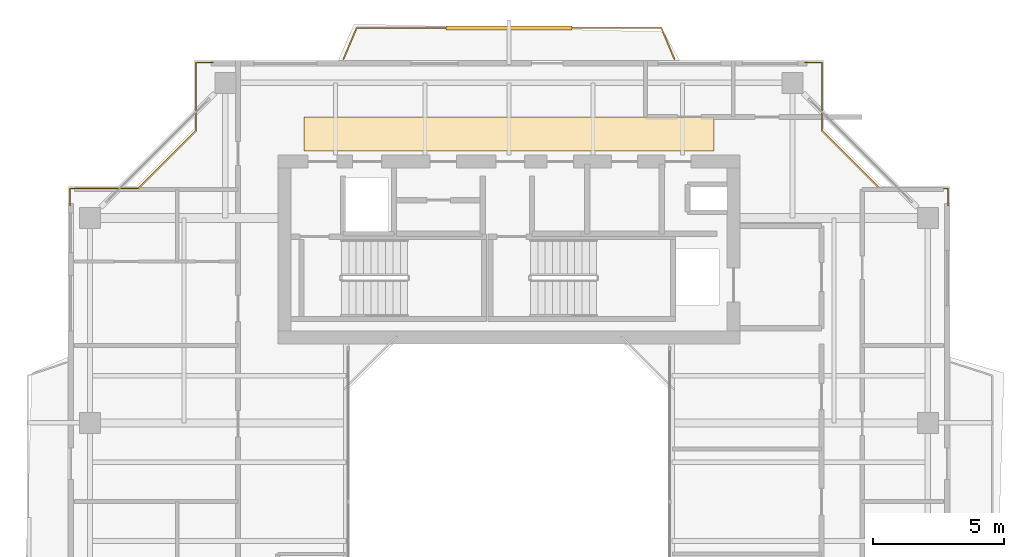
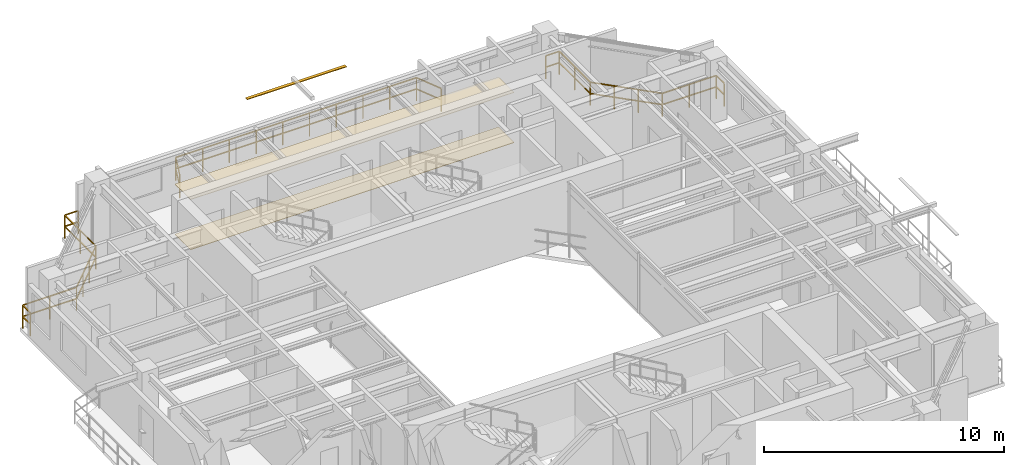
# One storey, part 16 of 16: 3 railings, 2 coverings, 1 shading device.
"""IFC4 building model written with IfcOpenShell, lengths in metres."""

import ifcopenshell
import ifcopenshell.guid

model = None  # the IFC model being written
_history = None  # IfcOwnerHistory: only IFC2X3 demands one
_inside = {}  # id of a spatial element -> (the spatial element, [elements in it])
_under = {}  # id of a project, library or spatial element -> (it, [spatial elements below it])
_declared = {}  # id of a project -> (the project, [libraries it declares])
_typed = {}  # id of a type object -> (the type object, [elements of that type])
_made_of = {}  # id of a material, layer set ... -> (it, [elements and type objects made of it])


def new_model(schema):
    """Start an empty IFC model of exactly this schema.

    Asked for "IFC4X3", IfcOpenShell would pick the latest addendum, in which some entities
    have other attributes; the version numbers below select the first issue.
    IFC2X3 requires an IfcOwnerHistory on every rooted entity: one is made here for all.
    """
    global model, _history
    if schema == "IFC4X3":
        model = ifcopenshell.file(schema_version=(4, 3, 0, 0))
    else:
        model = ifcopenshell.file(schema=schema)
    _inside.clear()
    _under.clear()
    _declared.clear()
    _typed.clear()
    _made_of.clear()
    _history = None
    if model.schema == "IFC2X3":
        org = make("IfcOrganization", Name="unknown")
        user = make(
            "IfcPersonAndOrganization",
            ThePerson=make("IfcPerson", FamilyName="unknown"),
            TheOrganization=org,
        )
        app = make(
            "IfcApplication",
            ApplicationDeveloper=org,
            Version="unknown",
            ApplicationFullName="unknown",
            ApplicationIdentifier="unknown",
        )
        _history = make(
            "IfcOwnerHistory",
            OwningUser=user,
            OwningApplication=app,
            ChangeAction="ADDED",
            CreationDate=0,
        )
    return model


def make(cls, **values):
    """One entity of the class cls with the attributes given. An attribute that is None is left unset."""
    return model.create_entity(
        cls, **{name: value for name, value in values.items() if value is not None}
    )


def rooted(cls, **values):
    """An entity with a GlobalId (a new one), such as an element, a storey or a relation."""
    return make(cls, GlobalId=ifcopenshell.guid.new(), OwnerHistory=_history, **values)


def si_unit(unit_type, name, prefix=None):
    """IfcSIUnit, for example si_unit("LENGTHUNIT", "METRE", prefix="MILLI")."""
    return make("IfcSIUnit", UnitType=unit_type, Prefix=prefix, Name=name)


def assignment(units):
    """IfcUnitAssignment: the units of a project."""
    return None if units is None else make("IfcUnitAssignment", Units=units)


def point(xyz):
    """IfcCartesianPoint."""
    return None if xyz is None else make("IfcCartesianPoint", Coordinates=xyz)


def direction(xyz):
    """IfcDirection."""
    return None if xyz is None else make("IfcDirection", DirectionRatios=xyz)


def frame(location, z_axis=None, x_axis=None):
    """IfcAxis2Placement3D, a coordinate frame: its origin and axes. An axis left out is left unset."""
    return make(
        "IfcAxis2Placement3D",
        Location=point(location),
        Axis=direction(z_axis),
        RefDirection=direction(x_axis),
    )


def frame_2d(location, x_axis=None):
    """IfcAxis2Placement2D, a coordinate frame in the plane: its origin and x axis."""
    return make(
        "IfcAxis2Placement2D", Location=point(location), RefDirection=direction(x_axis)
    )


def origin():
    """The frame at (0, 0, 0) with its axes left unset."""
    return frame((0.0, 0.0, 0.0))


def origin_2d():
    """The frame at (0, 0) in the plane with its x axis left unset."""
    return frame_2d((0.0, 0.0))


def place(relative_to, where):
    """IfcLocalPlacement: puts the frame where relative to a parent placement (None: the world)."""
    return make(
        "IfcLocalPlacement", PlacementRelTo=relative_to, RelativePlacement=where
    )


def context(
    kind, dimensions, precision=None, world=None, true_north=None, identifier=None
):
    """IfcGeometricRepresentationContext, for example the 3D "Model" context."""
    return make(
        "IfcGeometricRepresentationContext",
        ContextIdentifier=identifier,
        ContextType=kind,
        CoordinateSpaceDimension=dimensions,
        Precision=precision,
        WorldCoordinateSystem=world,
        TrueNorth=true_north,
    )


def subcontext(parent, identifier, kind, view, scale=None):
    """IfcGeometricRepresentationSubContext, for example "Body" below "Model"."""
    return make(
        "IfcGeometricRepresentationSubContext",
        ContextIdentifier=identifier,
        ContextType=kind,
        ParentContext=parent,
        TargetScale=scale,
        TargetView=view,
    )


def project(units=None, contexts=None):
    """IfcProject with its units and contexts."""
    return rooted(
        "IfcProject",
        Name="project",
        RepresentationContexts=contexts,
        UnitsInContext=assignment(units),
    )


def spatial(cls, under=None, at=None, **own):
    """A site, building, storey or space (cls), placed at a placement, below another one or the project."""
    s = rooted(cls, ObjectPlacement=at, **own)
    if under is not None:
        _under.setdefault(under.id(), (under, []))[1].append(s)
    return s


def polyline(points):
    """IfcPolyline through the points."""
    return make("IfcPolyline", Points=[point(p) for p in points])


def profile(cls, at=None, kind="AREA", **sizes):
    """A parametric profile (cls). Its sizes go by their IFC names, for example OverallWidth=200.0."""
    return make(cls, ProfileType=kind, Position=at, **sizes)


def rectangle(**sizes):
    """IfcRectangleProfileDef."""
    return profile("IfcRectangleProfileDef", **sizes)


def outline(outer, holes=None, kind="AREA"):
    """IfcArbitraryClosedProfileDef: a profile drawn as a closed curve; with holes, ...WithVoids."""
    if holes is None:
        return make("IfcArbitraryClosedProfileDef", ProfileType=kind, OuterCurve=outer)
    return make(
        "IfcArbitraryProfileDefWithVoids",
        ProfileType=kind,
        OuterCurve=outer,
        InnerCurves=holes,
    )


def extrude(swept, where, along, depth):
    """IfcExtrudedAreaSolid: the profile swept, set in the frame where, extruded along a direction by depth."""
    return make(
        "IfcExtrudedAreaSolid",
        SweptArea=swept,
        Position=where,
        ExtrudedDirection=direction(along),
        Depth=depth,
    )


def shape(context_of_items, identifier, shape_type, items):
    """IfcShapeRepresentation: the items that make up one representation, for example the "Body"."""
    return make(
        "IfcShapeRepresentation",
        ContextOfItems=context_of_items,
        RepresentationIdentifier=identifier,
        RepresentationType=shape_type,
        Items=items,
    )


def source(mapping_origin, context_of_items, identifier, shape_type, items):
    """IfcRepresentationMap: a shape defined once, which mapped items show again and again."""
    return make(
        "IfcRepresentationMap",
        MappingOrigin=mapping_origin,
        MappedRepresentation=shape(context_of_items, identifier, shape_type, items),
    )


def transform(
    local_origin,
    x_axis=None,
    y_axis=None,
    z_axis=None,
    scale=None,
    scale2=None,
    scale3=None,
    uniform=True,
):
    """IfcCartesianTransformationOperator3D, or its non-uniform kind. x_axis, y_axis, z_axis: its Axis1, 2, 3."""
    if uniform:
        return make(
            "IfcCartesianTransformationOperator3D",
            Axis1=direction(x_axis),
            Axis2=direction(y_axis),
            LocalOrigin=point(local_origin),
            Scale=scale,
            Axis3=direction(z_axis),
        )
    return make(
        "IfcCartesianTransformationOperator3DnonUniform",
        Axis1=direction(x_axis),
        Axis2=direction(y_axis),
        LocalOrigin=point(local_origin),
        Scale=scale,
        Axis3=direction(z_axis),
        Scale2=scale2,
        Scale3=scale3,
    )


def mapped(mapping_source, mapping_target):
    """IfcMappedItem: shows the shape of a source again, moved by a transform."""
    return make(
        "IfcMappedItem", MappingSource=mapping_source, MappingTarget=mapping_target
    )


def material(Name=None, Category=None):
    """IfcMaterial."""
    return make("IfcMaterial", Name=Name, Category=Category)


def layer(
    of_material, thickness, ventilated=None, Name=None, Category=None, Priority=None
):
    """IfcMaterialLayer: one layer of a wall or slab, of a material (None: an air gap)."""
    return make(
        "IfcMaterialLayer",
        Material=of_material,
        LayerThickness=thickness,
        IsVentilated=ventilated,
        Name=Name,
        Category=Category,
        Priority=Priority,
    )


def layer_set(layers, Name=None):
    """IfcMaterialLayerSet."""
    return make("IfcMaterialLayerSet", MaterialLayers=layers, LayerSetName=Name)


def material_profile(
    of_material, cross_section, Name=None, Category=None, Priority=None
):
    """IfcMaterialProfile: a cross section and its material."""
    return make(
        "IfcMaterialProfile",
        Name=Name,
        Material=of_material,
        Profile=cross_section,
        Priority=Priority,
        Category=Category,
    )


def profile_set(profiles, Name=None, composite=None):
    """IfcMaterialProfileSet."""
    return make(
        "IfcMaterialProfileSet",
        Name=Name,
        MaterialProfiles=profiles,
        CompositeProfile=composite,
    )


def made_of(thing, what):
    """Note that an element or type object is made of a material, layer set ...; save() writes the relation."""
    if what is not None:
        _made_of.setdefault(what.id(), (what, []))[1].append(thing)
    return thing


def type_object(cls, material=None, **own):
    """A type object (cls), such as IfcWallType, which elements share."""
    return made_of(rooted(cls, **own), material)


def element(
    cls,
    number,
    at=None,
    inside=None,
    cuts=None,
    type_object=None,
    material=None,
    context=None,
    identifier="Body",
    shape_type=None,
    held_by="IfcProductDefinitionShape",
    body=None,
    shapes=None,
    **own,
):
    """One element of the class cls, such as IfcWall. Its Tag is "e" and its number.

    at: its placement. inside: the storey or other place that contains it. cuts: it is an
    opening in that element (IfcRelVoidsElement). A single representation is given by context,
    identifier, shape_type and body (its items); several are given by shapes. held_by: the class
    of the entity that holds the representations. save() writes the other relations.
    """
    e = rooted(cls, Tag="e%d" % number, ObjectPlacement=at, **own)
    if body is not None:
        shapes = [shape(context, identifier, shape_type, body)]
    if shapes is not None:
        e.Representation = make(held_by, Representations=shapes)
    if inside is not None:
        _inside.setdefault(inside.id(), (inside, []))[1].append(e)
    if cuts is not None:
        rooted(
            "IfcRelVoidsElement", RelatingBuildingElement=cuts, RelatedOpeningElement=e
        )
    if type_object is not None:
        _typed.setdefault(type_object.id(), (type_object, []))[1].append(e)
    return made_of(e, material)


def aggregate(whole, parts):
    """IfcRelAggregates: a whole, such as a stair, and the parts it consists of."""
    return rooted("IfcRelAggregates", RelatingObject=whole, RelatedObjects=parts)


def save(model, path):
    """Write the relations noted so far, then the file.

    IfcRelAggregates (storeys below a building ...), IfcRelContainedInSpatialStructure (elements
    in a storey), IfcRelDefinesByType, IfcRelAssociatesMaterial and IfcRelDeclares: one each for
    every whole, place, type object, material and project.
    """
    for whole, parts in _under.values():
        aggregate(whole, parts)
    for where, things in _inside.values():
        rooted(
            "IfcRelContainedInSpatialStructure",
            RelatedElements=things,
            RelatingStructure=where,
        )
    for kind, things in _typed.values():
        rooted("IfcRelDefinesByType", RelatedObjects=things, RelatingType=kind)
    for what, things in _made_of.values():
        rooted("IfcRelAssociatesMaterial", RelatedObjects=things, RelatingMaterial=what)
    for by, libraries in _declared.values():
        rooted("IfcRelDeclares", RelatingContext=by, RelatedDefinitions=libraries)
    model.write(path)


model = new_model("IFC4")

# Units and contexts
model_context = context("Model", 3, precision=1e-05, world=origin(), true_north=direction((0.0, 1.0)))
body_context = subcontext(model_context, "Body", "Model", "MODEL_VIEW")
ifc_project = project(units=[si_unit("LENGTHUNIT", "METRE"), si_unit("AREAUNIT", "SQUARE_METRE"), si_unit("VOLUMEUNIT", "CUBIC_METRE"), si_unit("PLANEANGLEUNIT", "RADIAN"), si_unit("MASSUNIT", "GRAM", prefix="KILO"), si_unit("THERMODYNAMICTEMPERATUREUNIT", "KELVIN"), si_unit("POWERUNIT", "WATT")], contexts=[model_context])

# Site, building, storey
site_placement = place(None, origin())
site = spatial("IfcSite", under=ifc_project, at=site_placement, CompositionType="ELEMENT")
building_placement = place(site_placement, origin())
building = spatial("IfcBuilding", under=site, at=building_placement, Name="Qiaomeng Ring Towers", CompositionType="ELEMENT")
storey_placement = place(building_placement, frame((0.0, 0.0, 210.0)))
storey = spatial("IfcBuildingStorey", under=building, at=storey_placement, Name="L61", CompositionType="ELEMENT", Elevation=210.0)

# Coverings
ifc_material_1 = material(Name="Moisture-resistant gypsum ceiling board", Category="gypsum")
ifc_layer_1 = layer(ifc_material_1, 0.030029296875, Name="Moisture-resistant gypsum ceiling board")
ifc_layer_set_1 = layer_set([ifc_layer_1], Name="Moisture-resistant gypsum ceiling board")
covering_type_1 = type_object("IfcCoveringType", Name="ARC-COV-CEIL2", PredefinedType="CEILING", material=ifc_layer_set_1)
covering_1_placement = place(storey_placement, frame((0.0, 0.0, 2.550048828125)))
element("IfcCovering", 1, at=covering_1_placement, inside=storey, type_object=covering_type_1, Name="L61 Corridor Acoustic Ceiling", PredefinedType="CEILING", context=body_context, shape_type="SweptSolid", body=[
    extrude(outline(polyline([(11.199951171875, 36.35009765625), (11.199951171875, 37.64990234375), (26.800048828125, 37.64990234375), (26.800048828125, 36.35009765625), (11.199951171875, 36.35009765625)])), origin(), (0.0, 0.0, 1.0), 0.02490234375),
])
ifc_material_2 = material(Name="Vitrified porcelain floor tile", Category="ceramic")
ifc_layer_2 = layer(ifc_material_2, 0.02001953125, Name="Vitrified porcelain floor tile")
ifc_layer_set_2 = layer_set([ifc_layer_2], Name="Vitrified porcelain floor tile")
covering_type_2 = type_object("IfcCoveringType", Name="ARC-COV-FLR1", PredefinedType="FLOORING", material=ifc_layer_set_2)
covering_2_placement = place(storey_placement, origin())
element("IfcCovering", 2, at=covering_2_placement, inside=storey, type_object=covering_type_2, Name="L61 Corridor Stone Flooring", PredefinedType="FLOORING", context=body_context, shape_type="SweptSolid", body=[
    extrude(outline(polyline([(11.199951171875, 36.35009765625), (11.199951171875, 37.64990234375), (26.800048828125, 37.64990234375), (26.800048828125, 36.35009765625), (11.199951171875, 36.35009765625)])), origin(), (0.0, 0.0, 1.0), 0.02001953125),
])

# Railings
ifc_material_3 = material(Name="Low-E pale-green laminated safety glass", Category="glass")
railing_type = type_object("IfcRailingType", Name="ARC-RL-BAL1", PredefinedType="BALUSTRADE", material=ifc_material_3)
railing_1_placement = place(storey_placement, frame((35.719970703125, 34.27001953125, 0.0)))
element("IfcRailing", 3, at=railing_1_placement, inside=storey, type_object=railing_type, Name="L61 Balustrade ARC-BAL-NOTCH1-L61-NE", PredefinedType="BALUSTRADE", context=body_context, shape_type="SweptSolid", body=[
    extrude(rectangle(XDim=0.048095703125, YDim=0.048095703125, at=origin_2d()), frame((0.0, 0.0, 1.17578125), z_axis=(0.0, 1.0, 0.0), x_axis=(-1.0, 0.0, 0.0)), (0.0, 0.0, 1.0), 0.64990234375),
    extrude(rectangle(XDim=0.048095703125, YDim=0.048095703125, at=origin_2d()), frame((0.0, 0.0, 0.60009765625), z_axis=(0.0, 1.0, 0.0), x_axis=(-1.0, 0.0, 0.0)), (0.0, 0.0, 1.0), 0.64990234375),
    extrude(rectangle(XDim=0.048095703125, YDim=0.048095703125, at=origin_2d()), frame((0.0, 0.64990234375, 1.17578125), z_axis=(-1.0, 0.0, 0.0), x_axis=(0.0, -1.0, 0.0)), (0.0, 0.0, 1.0), 2.599853515625),
    extrude(rectangle(XDim=0.048095703125, YDim=0.048095703125, at=origin_2d()), frame((0.0, 0.64990234375, 0.60009765625), z_axis=(-1.0, 0.0, 0.0), x_axis=(0.0, -1.0, 0.0)), (0.0, 0.0, 1.0), 2.599853515625),
    extrude(rectangle(XDim=0.048095703125, YDim=0.048095703125, at=origin_2d()), frame((-2.599853515625, 0.64990234375, 1.17578125), z_axis=(-0.707106781187, 0.707106781187, 0.0), x_axis=(-0.707106781187, -0.707106781187, 0.0)), (0.0, 0.0, 1.0), 3.111572265625),
    extrude(rectangle(XDim=0.048095703125, YDim=0.048095703125, at=origin_2d()), frame((-2.599853515625, 0.64990234375, 0.60009765625), z_axis=(-0.707106781187, 0.707106781187, 0.0), x_axis=(-0.707106781187, -0.707106781187, 0.0)), (0.0, 0.0, 1.0), 3.111572265625),
    extrude(rectangle(XDim=0.048095703125, YDim=0.048095703125, at=origin_2d()), frame((-4.800048828125, 2.85009765625, 1.17578125), z_axis=(0.0, 1.0, 0.0), x_axis=(-1.0, 0.0, 0.0)), (0.0, 0.0, 1.0), 2.599853515625),
    extrude(rectangle(XDim=0.048095703125, YDim=0.048095703125, at=origin_2d()), frame((-4.800048828125, 2.85009765625, 0.60009765625), z_axis=(0.0, 1.0, 0.0), x_axis=(-1.0, 0.0, 0.0)), (0.0, 0.0, 1.0), 2.599853515625),
    extrude(rectangle(XDim=0.048095703125, YDim=0.048095703125, at=origin_2d()), frame((-4.800048828125, 5.449951171875, 1.17578125), z_axis=(-1.0, 0.0, 0.0), x_axis=(0.0, -1.0, 0.0)), (0.0, 0.0, 1.0), 0.64990234375),
    extrude(rectangle(XDim=0.048095703125, YDim=0.048095703125, at=origin_2d()), frame((-4.800048828125, 5.449951171875, 0.60009765625), z_axis=(-1.0, 0.0, 0.0), x_axis=(0.0, -1.0, 0.0)), (0.0, 0.0, 1.0), 0.64990234375),
    extrude(rectangle(XDim=0.0419921875, YDim=0.0419921875, at=origin_2d()), origin(), (0.0, 0.0, 1.0), 1.15185546875),
    extrude(rectangle(XDim=0.0419921875, YDim=0.0419921875, at=origin_2d()), frame((0.0, 0.64990234375, 0.0)), (0.0, 0.0, 1.0), 1.15185546875),
    extrude(rectangle(XDim=0.0419921875, YDim=0.0419921875, at=origin_2d()), frame((-1.2998046875, 0.64990234375, 0.0)), (0.0, 0.0, 1.0), 1.15185546875),
    extrude(rectangle(XDim=0.0419921875, YDim=0.0419921875, at=origin_2d()), frame((-2.599853515625, 0.64990234375, 0.0)), (0.0, 0.0, 1.0), 1.15185546875),
    extrude(rectangle(XDim=0.0419921875, YDim=0.0419921875, at=origin_2d()), frame((-3.333251953125, 1.38330078125, 0.0)), (0.0, 0.0, 1.0), 1.15185546875),
    extrude(rectangle(XDim=0.0419921875, YDim=0.0419921875, at=origin_2d()), frame((-4.066650390625, 2.11669921875, 0.0)), (0.0, 0.0, 1.0), 1.15185546875),
    extrude(rectangle(XDim=0.0419921875, YDim=0.0419921875, at=origin_2d()), frame((-4.800048828125, 2.85009765625, 0.0)), (0.0, 0.0, 1.0), 1.15185546875),
    extrude(rectangle(XDim=0.0419921875, YDim=0.0419921875, at=origin_2d()), frame((-4.800048828125, 4.14990234375, 0.0)), (0.0, 0.0, 1.0), 1.15185546875),
    extrude(rectangle(XDim=0.0419921875, YDim=0.0419921875, at=origin_2d()), frame((-4.800048828125, 5.449951171875, 0.0)), (0.0, 0.0, 1.0), 1.15185546875),
    extrude(rectangle(XDim=0.0419921875, YDim=0.0419921875, at=origin_2d()), frame((-5.449951171875, 5.449951171875, 0.0)), (0.0, 0.0, 1.0), 1.15185546875),
])
railing_2_placement = place(storey_placement, frame((7.72998046875, 39.719970703125, 0.0)))
element("IfcRailing", 4, at=railing_2_placement, inside=storey, type_object=railing_type, Name="L61 Balustrade ARC-BAL-NOTCH1-L61-NW", PredefinedType="BALUSTRADE", context=body_context, shape_type="SweptSolid", body=[
    extrude(rectangle(XDim=0.048095703125, YDim=0.048095703125, at=origin_2d()), frame((0.0, 0.0, 1.17578125), z_axis=(-1.0, 0.0, 0.0), x_axis=(0.0, -1.0, 0.0)), (0.0, 0.0, 1.0), 0.64990234375),
    extrude(rectangle(XDim=0.048095703125, YDim=0.048095703125, at=origin_2d()), frame((0.0, 0.0, 0.60009765625), z_axis=(-1.0, 0.0, 0.0), x_axis=(0.0, -1.0, 0.0)), (0.0, 0.0, 1.0), 0.64990234375),
    extrude(rectangle(XDim=0.048095703125, YDim=0.048095703125, at=origin_2d()), frame((-0.64990234375, 0.0, 1.17578125), z_axis=(0.0, -1.0, 0.0), x_axis=(1.0, 0.0, 0.0)), (0.0, 0.0, 1.0), 2.599853515625),
    extrude(rectangle(XDim=0.048095703125, YDim=0.048095703125, at=origin_2d()), frame((-0.64990234375, 0.0, 0.60009765625), z_axis=(0.0, -1.0, 0.0), x_axis=(1.0, 0.0, 0.0)), (0.0, 0.0, 1.0), 2.599853515625),
    extrude(rectangle(XDim=0.048095703125, YDim=0.048095703125, at=origin_2d()), frame((-0.64990234375, -2.599853515625, 1.17578125), z_axis=(-0.707106781187, -0.707106781187, 0.0), x_axis=(0.707106781187, -0.707106781187, 0.0)), (0.0, 0.0, 1.0), 3.111572265625),
    extrude(rectangle(XDim=0.048095703125, YDim=0.048095703125, at=origin_2d()), frame((-0.64990234375, -2.599853515625, 0.60009765625), z_axis=(-0.707106781187, -0.707106781187, 0.0), x_axis=(0.707106781187, -0.707106781187, 0.0)), (0.0, 0.0, 1.0), 3.111572265625),
    extrude(rectangle(XDim=0.048095703125, YDim=0.048095703125, at=origin_2d()), frame((-2.85009765625, -4.800048828125, 1.17578125), z_axis=(-1.0, 0.0, 0.0), x_axis=(0.0, -1.0, 0.0)), (0.0, 0.0, 1.0), 2.599853515625),
    extrude(rectangle(XDim=0.048095703125, YDim=0.048095703125, at=origin_2d()), frame((-2.85009765625, -4.800048828125, 0.60009765625), z_axis=(-1.0, 0.0, 0.0), x_axis=(0.0, -1.0, 0.0)), (0.0, 0.0, 1.0), 2.599853515625),
    extrude(rectangle(XDim=0.048095703125, YDim=0.048095703125, at=origin_2d()), frame((-5.449951171875, -4.800048828125, 1.17578125), z_axis=(0.0, -1.0, 0.0), x_axis=(1.0, 0.0, 0.0)), (0.0, 0.0, 1.0), 0.64990234375),
    extrude(rectangle(XDim=0.048095703125, YDim=0.048095703125, at=origin_2d()), frame((-5.449951171875, -4.800048828125, 0.60009765625), z_axis=(0.0, -1.0, 0.0), x_axis=(1.0, 0.0, 0.0)), (0.0, 0.0, 1.0), 0.64990234375),
    extrude(rectangle(XDim=0.0419921875, YDim=0.0419921875, at=origin_2d()), origin(), (0.0, 0.0, 1.0), 1.15185546875),
    extrude(rectangle(XDim=0.0419921875, YDim=0.0419921875, at=origin_2d()), frame((-0.64990234375, 0.0, 0.0)), (0.0, 0.0, 1.0), 1.15185546875),
    extrude(rectangle(XDim=0.0419921875, YDim=0.0419921875, at=origin_2d()), frame((-0.64990234375, -1.2998046875, 0.0)), (0.0, 0.0, 1.0), 1.15185546875),
    extrude(rectangle(XDim=0.0419921875, YDim=0.0419921875, at=origin_2d()), frame((-0.64990234375, -2.599853515625, 0.0)), (0.0, 0.0, 1.0), 1.15185546875),
    extrude(rectangle(XDim=0.0419921875, YDim=0.0419921875, at=origin_2d()), frame((-1.38330078125, -3.333251953125, 0.0)), (0.0, 0.0, 1.0), 1.15185546875),
    extrude(rectangle(XDim=0.0419921875, YDim=0.0419921875, at=origin_2d()), frame((-2.11669921875, -4.066650390625, 0.0)), (0.0, 0.0, 1.0), 1.15185546875),
    extrude(rectangle(XDim=0.0419921875, YDim=0.0419921875, at=origin_2d()), frame((-2.85009765625, -4.800048828125, 0.0)), (0.0, 0.0, 1.0), 1.15185546875),
    extrude(rectangle(XDim=0.0419921875, YDim=0.0419921875, at=origin_2d()), frame((-4.14990234375, -4.800048828125, 0.0)), (0.0, 0.0, 1.0), 1.15185546875),
    extrude(rectangle(XDim=0.0419921875, YDim=0.0419921875, at=origin_2d()), frame((-5.449951171875, -4.800048828125, 0.0)), (0.0, 0.0, 1.0), 1.15185546875),
    extrude(rectangle(XDim=0.0419921875, YDim=0.0419921875, at=origin_2d()), frame((-5.449951171875, -5.449951171875, 0.0)), (0.0, 0.0, 1.0), 1.15185546875),
])
railing_3_placement = place(storey_placement, frame((12.699951171875, 39.85009765625, 0.0)))
element("IfcRailing", 5, at=railing_3_placement, inside=storey, type_object=railing_type, Name="L61 Balustrade ARC-BAL-L61-T1-N", PredefinedType="BALUSTRADE", context=body_context, shape_type="SweptSolid", body=[
    extrude(rectangle(XDim=0.048095703125, YDim=0.048095703125, at=origin_2d()), frame((0.0, 0.0, 1.17578125), z_axis=(0.387380404006, 0.921919965394, 0.0), x_axis=(-0.921919965394, 0.387380404006, 0.0)), (0.0, 0.0, 1.0), 1.290771484375),
    extrude(rectangle(XDim=0.048095703125, YDim=0.048095703125, at=origin_2d()), frame((0.0, 0.0, 0.60009765625), z_axis=(0.387380404006, 0.921919965394, 0.0), x_axis=(-0.921919965394, 0.387380404006, 0.0)), (0.0, 0.0, 1.0), 1.290771484375),
    extrude(rectangle(XDim=0.048095703125, YDim=0.048095703125, at=origin_2d()), frame((0.5, 1.18994140625, 1.17578125), z_axis=(1.0, 0.0, 0.0), x_axis=(0.0, 1.0, 0.0)), (0.0, 0.0, 1.0), 11.60009765625),
    extrude(rectangle(XDim=0.048095703125, YDim=0.048095703125, at=origin_2d()), frame((0.5, 1.18994140625, 0.60009765625), z_axis=(1.0, 0.0, 0.0), x_axis=(0.0, 1.0, 0.0)), (0.0, 0.0, 1.0), 11.60009765625),
    extrude(rectangle(XDim=0.048095703125, YDim=0.048095703125, at=origin_2d()), frame((12.10009765625, 1.18994140625, 1.17578125), z_axis=(0.387380404006, -0.921919965394, 0.0), x_axis=(0.921919965394, 0.387380404006, 0.0)), (0.0, 0.0, 1.0), 1.290771484375),
    extrude(rectangle(XDim=0.048095703125, YDim=0.048095703125, at=origin_2d()), frame((12.10009765625, 1.18994140625, 0.60009765625), z_axis=(0.387380404006, -0.921919965394, 0.0), x_axis=(0.921919965394, 0.387380404006, 0.0)), (0.0, 0.0, 1.0), 1.290771484375),
    extrude(rectangle(XDim=0.0419921875, YDim=0.0419921875, at=origin_2d()), origin(), (0.0, 0.0, 1.0), 1.15185546875),
    extrude(rectangle(XDim=0.0419921875, YDim=0.0419921875, at=origin_2d()), frame((0.5, 1.18994140625, 0.0)), (0.0, 0.0, 1.0), 1.15185546875),
    extrude(rectangle(XDim=0.0419921875, YDim=0.0419921875, at=origin_2d()), frame((1.788818359375, 1.18994140625, 0.0)), (0.0, 0.0, 1.0), 1.15185546875),
    extrude(rectangle(XDim=0.0419921875, YDim=0.0419921875, at=origin_2d()), frame((3.077880859375, 1.18994140625, 0.0)), (0.0, 0.0, 1.0), 1.15185546875),
    extrude(rectangle(XDim=0.0419921875, YDim=0.0419921875, at=origin_2d()), frame((4.36669921875, 1.18994140625, 0.0)), (0.0, 0.0, 1.0), 1.15185546875),
    extrude(rectangle(XDim=0.0419921875, YDim=0.0419921875, at=origin_2d()), frame((5.655517578125, 1.18994140625, 0.0)), (0.0, 0.0, 1.0), 1.15185546875),
    extrude(rectangle(XDim=0.0419921875, YDim=0.0419921875, at=origin_2d()), frame((6.944580078125, 1.18994140625, 0.0)), (0.0, 0.0, 1.0), 1.15185546875),
    extrude(rectangle(XDim=0.0419921875, YDim=0.0419921875, at=origin_2d()), frame((8.2333984375, 1.18994140625, 0.0)), (0.0, 0.0, 1.0), 1.15185546875),
    extrude(rectangle(XDim=0.0419921875, YDim=0.0419921875, at=origin_2d()), frame((9.522216796875, 1.18994140625, 0.0)), (0.0, 0.0, 1.0), 1.15185546875),
    extrude(rectangle(XDim=0.0419921875, YDim=0.0419921875, at=origin_2d()), frame((10.811279296875, 1.18994140625, 0.0)), (0.0, 0.0, 1.0), 1.15185546875),
    extrude(rectangle(XDim=0.0419921875, YDim=0.0419921875, at=origin_2d()), frame((12.10009765625, 1.18994140625, 0.0)), (0.0, 0.0, 1.0), 1.15185546875),
    extrude(rectangle(XDim=0.0419921875, YDim=0.0419921875, at=origin_2d()), frame((12.60009765625, 0.0, 0.0)), (0.0, 0.0, 1.0), 1.15185546875),
])

# Shading device
ifc_material_4 = material(Name="Fluorocarbon dark-grey aluminium", Category="aluminium")
ifc_material_profile = material_profile(ifc_material_4, rectangle(XDim=0.14990234375, YDim=0.034912109375, at=origin_2d()), Name="LV BLADE 150x35")
ifc_profile_set = profile_set([ifc_material_profile], Name="Fluorocarbon dark-grey aluminium")
shading_device_type = type_object("IfcShadingDeviceType", Name="ARC-SHD-SUN", PredefinedType="AWNING", material=ifc_profile_set)
shared_shape = source(origin(), body_context, "Body", "SweptSolid", [
    extrude(rectangle(XDim=0.14990234375, YDim=0.034912109375, at=origin_2d()), origin(), (0.0, 0.0, 1.0), 4.7998046875),
])
shading_device_placement = place(storey_placement, frame((16.60009765625, 41.0400390625, 2.969970703125), z_axis=(1.0, 0.0, 0.0), x_axis=(0.0, 1.0, 0.0)))
element("IfcShadingDevice", 6, at=shading_device_placement, inside=storey, type_object=shading_device_type, Name="L61 Ventilated Outer-Skin Sunshade N", PredefinedType="AWNING", context=body_context, shape_type="MappedRepresentation", body=[
    mapped(shared_shape, transform((0.0, 0.0, 0.0), x_axis=(1.0, 0.0, 0.0), y_axis=(0.0, 1.0, 0.0), z_axis=(0.0, 0.0, 1.0), scale=1.0)),
])

save(model, "model.ifc")
